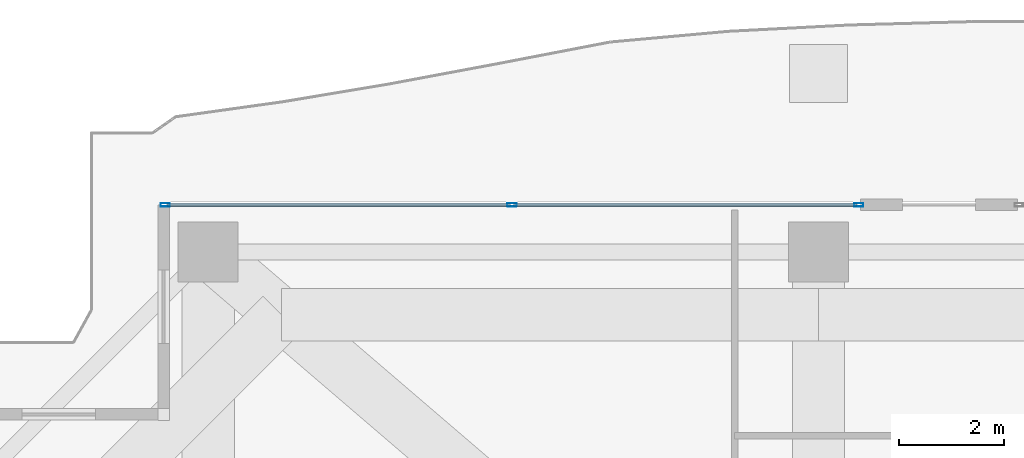
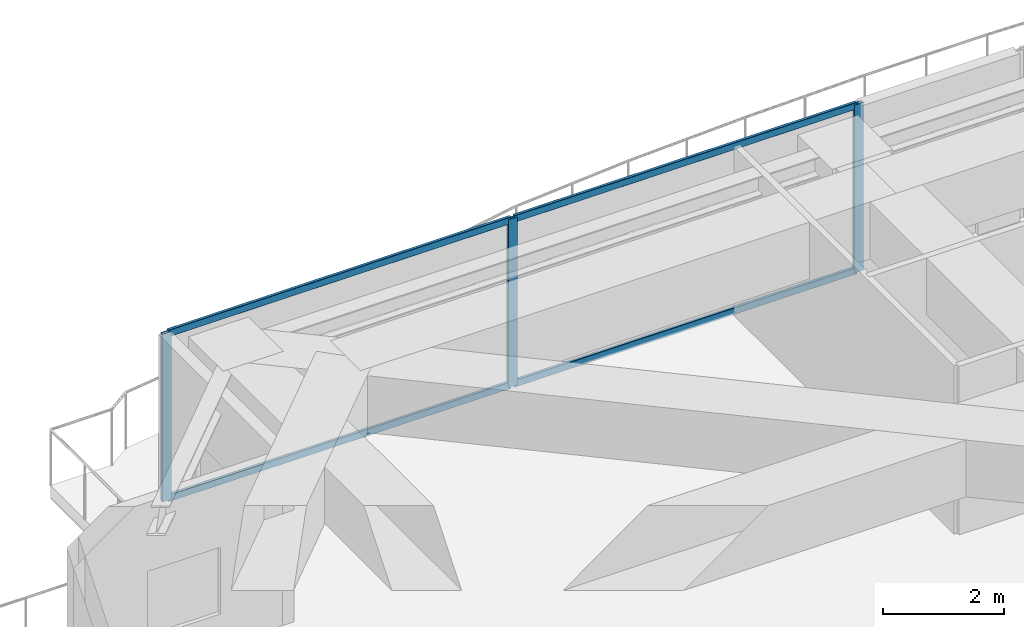
# One storey, part 22 of 39: 7 members, 1 element without a shape of its own.
"""IFC4 building model written with IfcOpenShell, lengths in metres."""

from ifc_helpers import new_model, si_unit, direction, frame, origin, origin_2d, place, context, subcontext, project, spatial, hollow_rectangle, extrude, source, transform, mapped, material, layer, layer_set, material_profile, profile_set, type_object, element, aggregate, save


model = new_model("IFC4")

# Units and contexts
model_context = context("Model", 3, precision=1e-05, world=origin(), true_north=direction((0.0, 1.0)))
body_context = subcontext(model_context, "Body", "Model", "MODEL_VIEW")
ifc_project = project(units=[si_unit("LENGTHUNIT", "METRE"), si_unit("AREAUNIT", "SQUARE_METRE"), si_unit("VOLUMEUNIT", "CUBIC_METRE"), si_unit("PLANEANGLEUNIT", "RADIAN"), si_unit("MASSUNIT", "GRAM", prefix="KILO")], contexts=[model_context])

# Site, building, storey
site_placement = place(None, origin())
site = spatial("IfcSite", under=ifc_project, at=site_placement, CompositionType="ELEMENT")
building_placement = place(site_placement, origin())
building = spatial("IfcBuilding", under=site, at=building_placement, Name="Serunith Strait Residences", CompositionType="ELEMENT")
storey_placement = place(building_placement, frame((0.0, 0.0, 283.60009765625)))
storey = spatial("IfcBuildingStorey", under=building, at=storey_placement, Name="L71", CompositionType="ELEMENT", Elevation=283.60009765625)

# Curtain wall, members
ifc_material = material(Name="Pale-Champagne Anodised Aluminium", Category="aluminium")
ifc_layer = layer(ifc_material, 0.199951171875, Name="Pale-Champagne Anodised Aluminium")
ifc_layer_set = layer_set([ifc_layer], Name="Pale-Champagne Anodised Aluminium")
curtain_wall_type = type_object("IfcCurtainWallType", Name="CW-SYS4", PredefinedType="NOTDEFINED", material=ifc_layer_set)
curtain_wall_placement = place(storey_placement, origin())
curtain_wall = element("IfcCurtainWall", 1, at=curtain_wall_placement, inside=storey, type_object=curtain_wall_type, Name="L71 N Unitised Fritted Curtain Wall", PredefinedType="NOTDEFINED")
ifc_material_profile_1 = material_profile(ifc_material, hollow_rectangle(XDim=0.06005859375, YDim=0.139892578125, WallThickness=0.00341796875, InnerFilletRadius=0.00537109375, OuterFilletRadius=0.0087890625, at=origin_2d()), Name="ALU 140x60x3.5")
ifc_profile_set_1 = profile_set([ifc_material_profile_1], Name="Pale-Champagne Anodised Aluminium")
member_type_1 = type_object("IfcMemberType", Name="CW-SYS4-TRAN", PredefinedType="USERDEFINED", material=ifc_profile_set_1)
shared_shape_1 = source(origin(), body_context, "Body", "SweptSolid", [
    extrude(hollow_rectangle(XDim=0.06005859375, YDim=0.139892578125, WallThickness=0.00341796875, InnerFilletRadius=0.00537109375, OuterFilletRadius=0.0087890625, at=origin_2d()), origin(), (0.0, 0.0, 1.0), 6.552490234375),
])
member_1_placement = place(storey_placement, frame((28.635009765625, 49.199951171875, 0.02978515625), z_axis=(-1.0, 0.0, 0.0), x_axis=(0.0, -1.0, 0.0)))
member_1 = element("IfcMember", 2, at=member_1_placement, type_object=member_type_1, Name="CW-4 transom 1.1", ObjectType="TRANSOM", PredefinedType="USERDEFINED", context=body_context, shape_type="MappedRepresentation", body=[
    mapped(shared_shape_1, transform((0.0, 0.0, 0.0), scale=1.0)),
])
member_2_placement = place(storey_placement, frame((28.635009765625, 49.199951171875, 3.364990234375), z_axis=(-1.0, 0.0, 0.0), x_axis=(0.0, -1.0, 0.0)))
member_2 = element("IfcMember", 3, at=member_2_placement, type_object=member_type_1, Name="CW-4 transom 1.2", ObjectType="TRANSOM", PredefinedType="USERDEFINED", context=body_context, shape_type="MappedRepresentation", body=[
    mapped(shared_shape_1, transform((0.0, 0.0, 0.0), scale=1.0)),
])
member_3_placement = place(storey_placement, frame((22.017578125, 49.199951171875, 0.02978515625), z_axis=(-1.0, 0.0, 0.0), x_axis=(0.0, -1.0, 0.0)))
member_3 = element("IfcMember", 4, at=member_3_placement, type_object=member_type_1, Name="CW-4 transom 2.1", ObjectType="TRANSOM", PredefinedType="USERDEFINED", context=body_context, shape_type="MappedRepresentation", body=[
    mapped(shared_shape_1, transform((0.0, 0.0, 0.0), scale=1.0)),
])
member_4_placement = place(storey_placement, frame((22.017578125, 49.199951171875, 3.364990234375), z_axis=(-1.0, 0.0, 0.0), x_axis=(0.0, -1.0, 0.0)))
member_4 = element("IfcMember", 5, at=member_4_placement, type_object=member_type_1, Name="CW-4 transom 2.2", ObjectType="TRANSOM", PredefinedType="USERDEFINED", context=body_context, shape_type="MappedRepresentation", body=[
    mapped(shared_shape_1, transform((0.0, 0.0, 0.0), scale=1.0)),
])
ifc_material_profile_2 = material_profile(ifc_material, hollow_rectangle(XDim=0.06494140625, YDim=0.179931640625, WallThickness=0.00341796875, InnerFilletRadius=0.00537109375, OuterFilletRadius=0.0087890625, at=origin_2d()), Name="ALU 180x65x3.5")
ifc_profile_set_2 = profile_set([ifc_material_profile_2], Name="Pale-Champagne Anodised Aluminium")
member_type_2 = type_object("IfcMemberType", Name="CW-SYS4-MULL", PredefinedType="MULLION", material=ifc_profile_set_2)
shared_shape_2 = source(origin(), body_context, "Body", "SweptSolid", [
    extrude(hollow_rectangle(XDim=0.06494140625, YDim=0.179931640625, WallThickness=0.00341796875, InnerFilletRadius=0.00537109375, OuterFilletRadius=0.0087890625, at=origin_2d()), origin(), (0.0, 0.0, 1.0), 3.39501953125),
])
member_5_placement = place(storey_placement, frame((28.66748046875, 49.199951171875, 0.0), z_axis=(0.0, 0.0, 1.0), x_axis=(0.0, -1.0, 0.0)))
member_5 = element("IfcMember", 6, at=member_5_placement, type_object=member_type_2, Name="CW-4 mullion 1", PredefinedType="MULLION", context=body_context, shape_type="MappedRepresentation", body=[
    mapped(shared_shape_2, transform((0.0, 0.0, 0.0), scale=1.0)),
])
member_6_placement = place(storey_placement, frame((22.050048828125, 49.199951171875, 0.0), z_axis=(0.0, 0.0, 1.0), x_axis=(0.0, -1.0, 0.0)))
member_6 = element("IfcMember", 7, at=member_6_placement, type_object=member_type_2, Name="CW-4 mullion 2", PredefinedType="MULLION", context=body_context, shape_type="MappedRepresentation", body=[
    mapped(shared_shape_2, transform((0.0, 0.0, 0.0), scale=1.0)),
])
member_7_placement = place(storey_placement, frame((15.4326171875, 49.199951171875, 0.0), z_axis=(0.0, 0.0, 1.0), x_axis=(0.0, -1.0, 0.0)))
member_7 = element("IfcMember", 8, at=member_7_placement, type_object=member_type_2, Name="CW-4 mullion 3", PredefinedType="MULLION", context=body_context, shape_type="MappedRepresentation", body=[
    mapped(shared_shape_2, transform((0.0, 0.0, 0.0), scale=1.0)),
])
aggregate(curtain_wall, [member_5, member_6, member_7, member_1, member_2, member_3, member_4])

save(model, "model.ifc")
